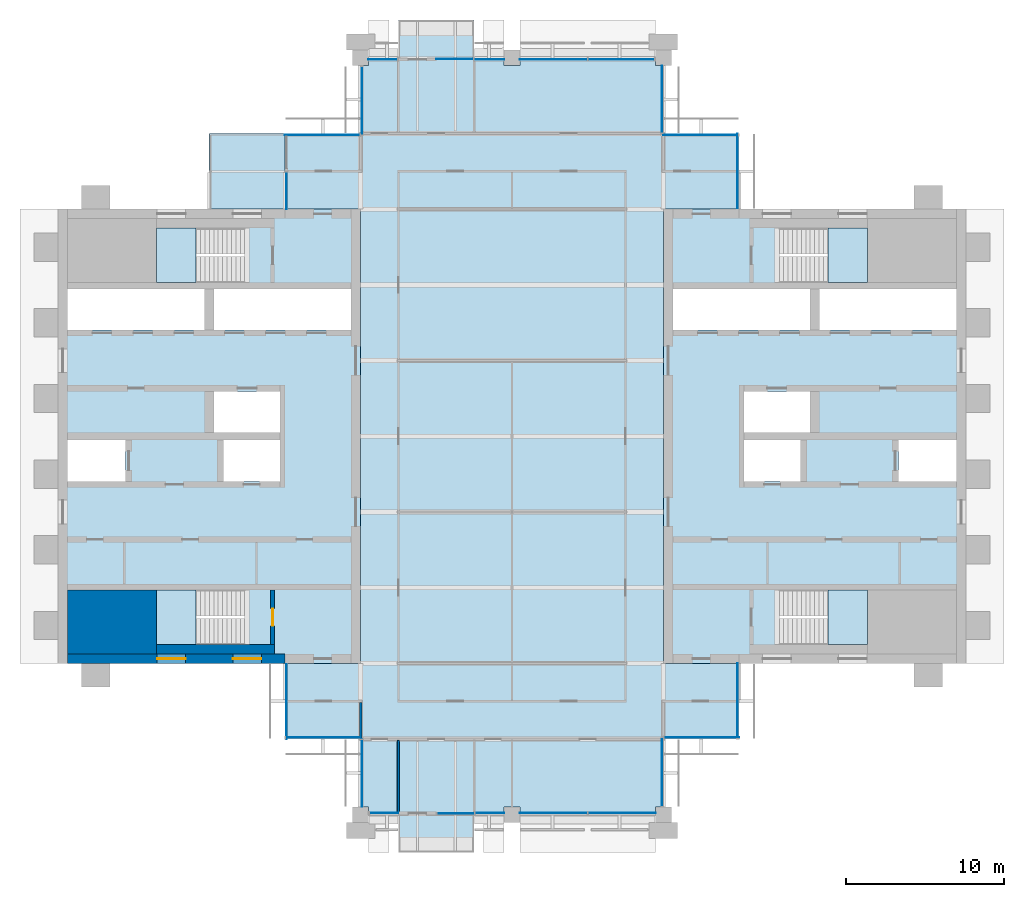
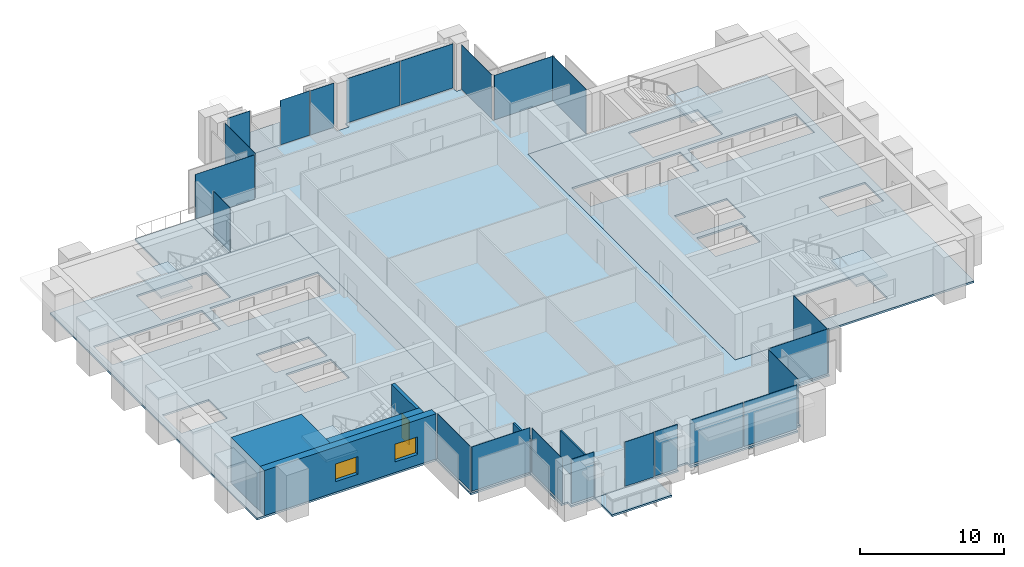
# One storey, part 7 of 14: 22 plates, 10 slabs, 6 walls, 2 windows, 1 door, 3 openings, 22 elements without a shape of their own.
"""IFC4 building model written with IfcOpenShell, lengths in metres."""

from ifc_helpers import new_model, si_unit, direction, frame, frame_2d, origin, origin_2d, place, context, subcontext, project, spatial, polyline, rectangle, outline, extrude, material, layer, layer_set, type_object, element, fill, aggregate, save


model = new_model("IFC4")

# Units and contexts
model_context = context("Model", 3, precision=1e-05, world=origin(), true_north=direction((0.0, 1.0)))
body_context = subcontext(model_context, "Body", "Model", "MODEL_VIEW")
ifc_project = project(units=[si_unit("LENGTHUNIT", "METRE"), si_unit("AREAUNIT", "SQUARE_METRE"), si_unit("VOLUMEUNIT", "CUBIC_METRE"), si_unit("PLANEANGLEUNIT", "RADIAN"), si_unit("MASSUNIT", "GRAM", prefix="KILO")], contexts=[model_context])

# Site, building, storey
site_placement = place(None, origin())
site = spatial("IfcSite", under=ifc_project, at=site_placement, CompositionType="ELEMENT")
building_placement = place(site_placement, origin())
building = spatial("IfcBuilding", under=site, at=building_placement, Name="Baori Bourse Tower", CompositionType="ELEMENT")
storey_placement = place(building_placement, frame((0.0, 0.0, 290.300048828125)))
storey = spatial("IfcBuildingStorey", under=building, at=storey_placement, Name="L63", CompositionType="ELEMENT", Elevation=290.300048828125)

# Slabs
ifc_material_1 = material(Name="Concrete f'c 40 MPa", Category="concrete")
ifc_layer_1 = layer(ifc_material_1, 0.159912109375)
ifc_layer_set_1 = layer_set([ifc_layer_1], Name="BL2 Balcony slab 160")
slab_type_1 = type_object("IfcSlabType", Name="BL2 Balcony slab 160", PredefinedType="FLOOR", material=ifc_layer_set_1)
slab_1_placement = place(storey_placement, frame((0.0, 0.0, -0.16015625)))
element("IfcSlab", 1, at=slab_1_placement, inside=storey, type_object=slab_type_1, Name="Balcony slab L63 S", PredefinedType="FLOOR", context=body_context, shape_type="SweptSolid", body=[
    extrude(outline(polyline([(21.60009765625, 0.0), (21.60009765625, -2.39990234375), (26.39990234375, -2.39990234375), (26.39990234375, 0.0), (21.60009765625, 0.0)])), origin(), (0.0, 0.0, 1.0), 0.16015625),
])
slab_2_placement = place(storey_placement, frame((0.0, 0.0, -0.16015625)))
element("IfcSlab", 2, at=slab_2_placement, inside=storey, type_object=slab_type_1, Name="Balcony slab L63 N", PredefinedType="FLOOR", context=body_context, shape_type="SweptSolid", body=[
    extrude(outline(polyline([(21.60009765625, 48.0), (26.39990234375, 48.0), (26.39990234375, 50.39990234375), (21.60009765625, 50.39990234375), (21.60009765625, 48.0)])), origin(), (0.0, 0.0, 1.0), 0.16015625),
])

# Curtain wall, plate
ifc_material_2 = material(Name="Pale anodised aluminium", Category="aluminium")
curtain_wall_type_1 = type_object("IfcCurtainWallType", Name="CW2 Curtain wall", PredefinedType="NOTDEFINED", material=ifc_material_2)
curtain_wall_1_placement = place(storey_placement, origin())
curtain_wall_1 = element("IfcCurtainWall", 3, at=curtain_wall_1_placement, inside=storey, type_object=curtain_wall_type_1, Name="Curtain wall CW2 L63 1", PredefinedType="NOTDEFINED")
ifc_material_3 = material(Name="Clear glass", Category="glass")
ifc_layer_2 = layer(ifc_material_3, 0.030029296875)
ifc_layer_set_2 = layer_set([ifc_layer_2], Name="CW2 Curtain wall panel")
plate_type_1 = type_object("IfcPlateType", Name="CW2 Curtain wall panel", PredefinedType="CURTAIN_PANEL", material=ifc_layer_set_2)
plate_1_placement = place(storey_placement, frame((43.110107421875, 40.827392578125, 0.06982421875), z_axis=(0.0, 0.0, 1.0), x_axis=(0.0, 1.0, 0.0)))
plate_1 = element("IfcPlate", 4, at=plate_1_placement, type_object=plate_type_1, Name="Curtain wall CW2 panel", PredefinedType="CURTAIN_PANEL", context=body_context, shape_type="SweptSolid", body=[
    extrude(rectangle(XDim=4.7451171875, YDim=0.030029296875, at=origin_2d()), origin(), (0.0, 0.0, 1.0), 3.77001953125),
])
aggregate(curtain_wall_1, [plate_1])

curtain_wall_2_placement = place(storey_placement, origin())
curtain_wall_2 = element("IfcCurtainWall", 5, at=curtain_wall_2_placement, inside=storey, type_object=curtain_wall_type_1, Name="Curtain wall CW2 L63 2", PredefinedType="NOTDEFINED")
plate_2_placement = place(storey_placement, frame((40.7724609375, 43.110107421875, 0.06982421875), z_axis=(0.0, 0.0, 1.0), x_axis=(-1.0, 0.0, 0.0)))
plate_2 = element("IfcPlate", 6, at=plate_2_placement, type_object=plate_type_1, Name="Curtain wall CW2 panel", PredefinedType="CURTAIN_PANEL", context=body_context, shape_type="SweptSolid", body=[
    extrude(rectangle(XDim=4.7451171875, YDim=0.030029296875, at=origin_2d()), origin(), (0.0, 0.0, 1.0), 3.77001953125),
])
aggregate(curtain_wall_2, [plate_2])

curtain_wall_3_placement = place(storey_placement, origin())
curtain_wall_3 = element("IfcCurtainWall", 7, at=curtain_wall_3_placement, inside=storey, type_object=curtain_wall_type_1, Name="Curtain wall CW2 L63 3", PredefinedType="NOTDEFINED")
plate_3_placement = place(storey_placement, frame((38.31005859375, 45.37744140625, 0.06982421875), z_axis=(0.0, 0.0, 1.0), x_axis=(0.0, 1.0, 0.0)))
plate_3 = element("IfcPlate", 8, at=plate_3_placement, type_object=plate_type_1, Name="Curtain wall CW2 panel", PredefinedType="CURTAIN_PANEL", context=body_context, shape_type="SweptSolid", body=[
    extrude(rectangle(XDim=4.2451171875, YDim=0.030029296875, at=origin_2d()), origin(), (0.0, 0.0, 1.0), 3.77001953125),
])
aggregate(curtain_wall_3, [plate_3])

curtain_wall_4_placement = place(storey_placement, origin())
curtain_wall_4 = element("IfcCurtainWall", 9, at=curtain_wall_4_placement, inside=storey, type_object=curtain_wall_type_1, Name="Curtain wall CW2 L63 7", PredefinedType="NOTDEFINED")
plate_4_placement = place(storey_placement, frame((19.2900390625, 45.322509765625, 0.06982421875), z_axis=(0.0, 0.0, 1.0), x_axis=(0.0, -1.0, 0.0)))
plate_4 = element("IfcPlate", 10, at=plate_4_placement, type_object=plate_type_1, Name="Curtain wall CW2 panel", PredefinedType="CURTAIN_PANEL", context=body_context, shape_type="SweptSolid", body=[
    extrude(rectangle(XDim=4.2451171875, YDim=0.030029296875, at=origin_2d()), origin(), (0.0, 0.0, 1.0), 3.77001953125),
])
aggregate(curtain_wall_4, [plate_4])

curtain_wall_5_placement = place(storey_placement, origin())
curtain_wall_5 = element("IfcCurtainWall", 11, at=curtain_wall_5_placement, inside=storey, type_object=curtain_wall_type_1, Name="Curtain wall CW2 L63 8", PredefinedType="NOTDEFINED")
plate_5_placement = place(storey_placement, frame((16.7724609375, 43.110107421875, 0.06982421875), z_axis=(0.0, 0.0, 1.0), x_axis=(-1.0, 0.0, 0.0)))
plate_5 = element("IfcPlate", 12, at=plate_5_placement, type_object=plate_type_1, Name="Curtain wall CW2 panel", PredefinedType="CURTAIN_PANEL", context=body_context, shape_type="SweptSolid", body=[
    extrude(rectangle(XDim=4.7451171875, YDim=0.030029296875, at=origin_2d()), origin(), (0.0, 0.0, 1.0), 3.77001953125),
])
aggregate(curtain_wall_5, [plate_5])

curtain_wall_6_placement = place(storey_placement, origin())
curtain_wall_6 = element("IfcCurtainWall", 13, at=curtain_wall_6_placement, inside=storey, type_object=curtain_wall_type_1, Name="Curtain wall CW2 L63 9", PredefinedType="NOTDEFINED")
plate_6_placement = place(storey_placement, frame((14.489990234375, 39.572509765625, 0.06982421875), z_axis=(0.0, 0.0, 1.0), x_axis=(0.0, -1.0, 0.0)))
plate_6 = element("IfcPlate", 14, at=plate_6_placement, type_object=plate_type_1, Name="Curtain wall CW2 panel", PredefinedType="CURTAIN_PANEL", context=body_context, shape_type="SweptSolid", body=[
    extrude(rectangle(XDim=2.344970703125, YDim=0.030029296875, at=origin_2d()), origin(), (0.0, 0.0, 1.0), 3.77001953125),
])
aggregate(curtain_wall_6, [plate_6])

curtain_wall_7_placement = place(storey_placement, origin())
curtain_wall_7 = element("IfcCurtainWall", 15, at=curtain_wall_7_placement, inside=storey, type_object=curtain_wall_type_1, Name="Curtain wall CW2 L63 10", PredefinedType="NOTDEFINED")
plate_7_placement = place(storey_placement, frame((14.489990234375, 7.172607421875, 0.06982421875), z_axis=(0.0, 0.0, 1.0), x_axis=(0.0, -1.0, 0.0)))
plate_7 = element("IfcPlate", 16, at=plate_7_placement, type_object=plate_type_1, Name="Curtain wall CW2 panel", PredefinedType="CURTAIN_PANEL", context=body_context, shape_type="SweptSolid", body=[
    extrude(rectangle(XDim=4.7451171875, YDim=0.030029296875, at=origin_2d()), origin(), (0.0, 0.0, 1.0), 3.77001953125),
])
aggregate(curtain_wall_7, [plate_7])

curtain_wall_8_placement = place(storey_placement, origin())
curtain_wall_8 = element("IfcCurtainWall", 17, at=curtain_wall_8_placement, inside=storey, type_object=curtain_wall_type_1, Name="Curtain wall CW2 L63 11", PredefinedType="NOTDEFINED")
plate_8_placement = place(storey_placement, frame((16.827392578125, 4.889892578125, 0.06982421875), z_axis=(0.0, 0.0, 1.0), x_axis=(1.0, 0.0, 0.0)))
plate_8 = element("IfcPlate", 18, at=plate_8_placement, type_object=plate_type_1, Name="Curtain wall CW2 panel", PredefinedType="CURTAIN_PANEL", context=body_context, shape_type="SweptSolid", body=[
    extrude(rectangle(XDim=4.7451171875, YDim=0.030029296875, at=origin_2d()), origin(), (0.0, 0.0, 1.0), 3.77001953125),
])
aggregate(curtain_wall_8, [plate_8])

curtain_wall_9_placement = place(storey_placement, origin())
curtain_wall_9 = element("IfcCurtainWall", 19, at=curtain_wall_9_placement, inside=storey, type_object=curtain_wall_type_1, Name="Curtain wall CW2 L63 12", PredefinedType="NOTDEFINED")
plate_9_placement = place(storey_placement, frame((19.2900390625, 2.62255859375, 0.06982421875), z_axis=(0.0, 0.0, 1.0), x_axis=(0.0, -1.0, 0.0)))
plate_9 = element("IfcPlate", 20, at=plate_9_placement, type_object=plate_type_1, Name="Curtain wall CW2 panel", PredefinedType="CURTAIN_PANEL", context=body_context, shape_type="SweptSolid", body=[
    extrude(rectangle(XDim=4.2451171875, YDim=0.030029296875, at=origin_2d()), origin(), (0.0, 0.0, 1.0), 3.77001953125),
])
aggregate(curtain_wall_9, [plate_9])

curtain_wall_10_placement = place(storey_placement, origin())
curtain_wall_10 = element("IfcCurtainWall", 21, at=curtain_wall_10_placement, inside=storey, type_object=curtain_wall_type_1, Name="Curtain wall CW2 L63 16", PredefinedType="NOTDEFINED")
plate_10_placement = place(storey_placement, frame((38.31005859375, 2.677490234375, 0.06982421875), z_axis=(0.0, 0.0, 1.0), x_axis=(0.0, 1.0, 0.0)))
plate_10 = element("IfcPlate", 22, at=plate_10_placement, type_object=plate_type_1, Name="Curtain wall CW2 panel", PredefinedType="CURTAIN_PANEL", context=body_context, shape_type="SweptSolid", body=[
    extrude(rectangle(XDim=4.2451171875, YDim=0.030029296875, at=origin_2d()), origin(), (0.0, 0.0, 1.0), 3.77001953125),
])
aggregate(curtain_wall_10, [plate_10])

curtain_wall_11_placement = place(storey_placement, origin())
curtain_wall_11 = element("IfcCurtainWall", 23, at=curtain_wall_11_placement, inside=storey, type_object=curtain_wall_type_1, Name="Curtain wall CW2 L63 17", PredefinedType="NOTDEFINED")
plate_11_placement = place(storey_placement, frame((40.827392578125, 4.889892578125, 0.06982421875), z_axis=(0.0, 0.0, 1.0), x_axis=(1.0, 0.0, 0.0)))
plate_11 = element("IfcPlate", 24, at=plate_11_placement, type_object=plate_type_1, Name="Curtain wall CW2 panel", PredefinedType="CURTAIN_PANEL", context=body_context, shape_type="SweptSolid", body=[
    extrude(rectangle(XDim=4.7451171875, YDim=0.030029296875, at=origin_2d()), origin(), (0.0, 0.0, 1.0), 3.77001953125),
])
aggregate(curtain_wall_11, [plate_11])

curtain_wall_12_placement = place(storey_placement, origin())
curtain_wall_12 = element("IfcCurtainWall", 25, at=curtain_wall_12_placement, inside=storey, type_object=curtain_wall_type_1, Name="Curtain wall CW2 L63 18", PredefinedType="NOTDEFINED")
plate_12_placement = place(storey_placement, frame((43.110107421875, 7.2275390625, 0.06982421875), z_axis=(0.0, 0.0, 1.0), x_axis=(0.0, 1.0, 0.0)))
plate_12 = element("IfcPlate", 26, at=plate_12_placement, type_object=plate_type_1, Name="Curtain wall CW2 panel", PredefinedType="CURTAIN_PANEL", context=body_context, shape_type="SweptSolid", body=[
    extrude(rectangle(XDim=4.7451171875, YDim=0.030029296875, at=origin_2d()), origin(), (0.0, 0.0, 1.0), 3.77001953125),
])
aggregate(curtain_wall_12, [plate_12])

# Curtain wall, plates
ifc_material_4 = material(Name="Pale anodised aluminium", Category="aluminium")
curtain_wall_type_2 = type_object("IfcCurtainWallType", Name="CW5 Curtain wall", PredefinedType="NOTDEFINED", material=ifc_material_4)
curtain_wall_13_placement = place(storey_placement, origin())
curtain_wall_13 = element("IfcCurtainWall", 27, at=curtain_wall_13_placement, inside=storey, type_object=curtain_wall_type_2, Name="Curtain wall CW5 L63 4", PredefinedType="NOTDEFINED")
ifc_material_5 = material(Name="Clear glass", Category="glass")
ifc_layer_3 = layer(ifc_material_5, 0.035888671875)
ifc_layer_set_3 = layer_set([ifc_layer_3], Name="CW5 Curtain wall panel")
plate_type_2 = type_object("IfcPlateType", Name="CW5 Curtain wall panel", PredefinedType="CURTAIN_PANEL", material=ifc_layer_set_3)
plate_13_placement = place(storey_placement, frame((35.733642578125, 47.889892578125, 0.0849609375), z_axis=(0.0, 0.0, 1.0), x_axis=(-1.0, 0.0, 0.0)))
plate_13 = element("IfcPlate", 28, at=plate_13_placement, type_object=plate_type_2, Name="Curtain wall CW5 panel", PredefinedType="CURTAIN_PANEL", context=body_context, shape_type="SweptSolid", body=[
    extrude(rectangle(XDim=4.202392578125, YDim=0.035888671875, at=origin_2d()), origin(), (0.0, 0.0, 1.0), 3.7548828125),
])
plate_14_placement = place(storey_placement, frame((31.433837890625, 47.889892578125, 0.0849609375), z_axis=(0.0, 0.0, 1.0), x_axis=(-1.0, 0.0, 0.0)))
plate_14 = element("IfcPlate", 29, at=plate_14_placement, type_object=plate_type_2, Name="Curtain wall CW5 panel", PredefinedType="CURTAIN_PANEL", context=body_context, shape_type="SweptSolid", body=[
    extrude(rectangle(XDim=4.267578125, YDim=0.035888671875, at=origin_2d()), origin(), (0.0, 0.0, 1.0), 3.7548828125),
])
plate_15_placement = place(storey_placement, frame((27.35009765625, 47.889892578125, 0.0849609375), z_axis=(0.0, 0.0, 1.0), x_axis=(-1.0, 0.0, 0.0)))
plate_15 = element("IfcPlate", 30, at=plate_15_placement, type_object=plate_type_2, Name="Curtain wall CW5 panel", PredefinedType="CURTAIN_PANEL", context=body_context, shape_type="SweptSolid", body=[
    extrude(rectangle(XDim=1.89990234375, YDim=0.035888671875, at=origin_2d()), origin(), (0.0, 0.0, 1.0), 3.7548828125),
])
aggregate(curtain_wall_13, [plate_13, plate_14, plate_15])

# Curtain wall, plate
curtain_wall_14_placement = place(storey_placement, origin())
curtain_wall_14 = element("IfcCurtainWall", 31, at=curtain_wall_14_placement, inside=storey, type_object=curtain_wall_type_2, Name="Curtain wall CW5 L63 6", PredefinedType="NOTDEFINED")
plate_16_placement = place(storey_placement, frame((20.617431640625, 47.889892578125, 0.0849609375), z_axis=(0.0, 0.0, 1.0), x_axis=(-1.0, 0.0, 0.0)))
plate_16 = element("IfcPlate", 32, at=plate_16_placement, type_object=plate_type_2, Name="Curtain wall CW5 panel", PredefinedType="CURTAIN_PANEL", context=body_context, shape_type="SweptSolid", body=[
    extrude(rectangle(XDim=1.8349609375, YDim=0.035888671875, at=origin_2d()), origin(), (0.0, 0.0, 1.0), 3.7548828125),
])
aggregate(curtain_wall_14, [plate_16])

curtain_wall_15_placement = place(storey_placement, origin())
curtain_wall_15 = element("IfcCurtainWall", 33, at=curtain_wall_15_placement, inside=storey, type_object=curtain_wall_type_2, Name="Curtain wall CW5 L63 13", PredefinedType="NOTDEFINED")
plate_17_placement = place(storey_placement, frame((20.6826171875, 0.110107421875, 0.0849609375), z_axis=(0.0, 0.0, 1.0), x_axis=(1.0, 0.0, 0.0)))
plate_17 = element("IfcPlate", 34, at=plate_17_placement, type_object=plate_type_2, Name="Curtain wall CW5 panel", PredefinedType="CURTAIN_PANEL", context=body_context, shape_type="SweptSolid", body=[
    extrude(rectangle(XDim=1.8349609375, YDim=0.035888671875, at=origin_2d()), origin(), (0.0, 0.0, 1.0), 3.7548828125),
])
aggregate(curtain_wall_15, [plate_17])

# Curtain wall, plates
curtain_wall_16_placement = place(storey_placement, origin())
curtain_wall_16 = element("IfcCurtainWall", 35, at=curtain_wall_16_placement, inside=storey, type_object=curtain_wall_type_2, Name="Curtain wall CW5 L63 15", PredefinedType="NOTDEFINED")
plate_18_placement = place(storey_placement, frame((27.382568359375, 0.110107421875, 0.0849609375), z_axis=(0.0, 0.0, 1.0), x_axis=(1.0, 0.0, 0.0)))
plate_18 = element("IfcPlate", 36, at=plate_18_placement, type_object=plate_type_2, Name="Curtain wall CW5 panel", PredefinedType="CURTAIN_PANEL", context=body_context, shape_type="SweptSolid", body=[
    extrude(rectangle(XDim=1.8349609375, YDim=0.035888671875, at=origin_2d()), origin(), (0.0, 0.0, 1.0), 3.7548828125),
])
plate_19_placement = place(storey_placement, frame((31.433837890625, 0.110107421875, 0.0849609375), z_axis=(0.0, 0.0, 1.0), x_axis=(1.0, 0.0, 0.0)))
plate_19 = element("IfcPlate", 37, at=plate_19_placement, type_object=plate_type_2, Name="Curtain wall CW5 panel", PredefinedType="CURTAIN_PANEL", context=body_context, shape_type="SweptSolid", body=[
    extrude(rectangle(XDim=4.267578125, YDim=0.035888671875, at=origin_2d()), origin(), (0.0, 0.0, 1.0), 3.7548828125),
])
plate_20_placement = place(storey_placement, frame((35.766357421875, 0.110107421875, 0.0849609375), z_axis=(0.0, 0.0, 1.0), x_axis=(1.0, 0.0, 0.0)))
plate_20 = element("IfcPlate", 38, at=plate_20_placement, type_object=plate_type_2, Name="Curtain wall CW5 panel", PredefinedType="CURTAIN_PANEL", context=body_context, shape_type="SweptSolid", body=[
    extrude(rectangle(XDim=4.267578125, YDim=0.035888671875, at=origin_2d()), origin(), (0.0, 0.0, 1.0), 3.7548828125),
])
aggregate(curtain_wall_16, [plate_18, plate_19, plate_20])

# Curtain wall, plate
ifc_material_6 = material(Name="Pale anodised aluminium", Category="aluminium")
curtain_wall_type_3 = type_object("IfcCurtainWallType", Name="CW6 Curtain wall", PredefinedType="NOTDEFINED", material=ifc_material_6)
curtain_wall_17_placement = place(storey_placement, origin())
curtain_wall_17 = element("IfcCurtainWall", 39, at=curtain_wall_17_placement, inside=storey, type_object=curtain_wall_type_3, Name="Curtain wall CW6 L63 5", PredefinedType="NOTDEFINED")
ifc_material_7 = material(Name="Clear glass", Category="glass")
ifc_layer_4 = layer(ifc_material_7, 0.028076171875)
ifc_layer_set_4 = layer_set([ifc_layer_4], Name="CW6 Curtain wall panel")
plate_type_3 = type_object("IfcPlateType", Name="CW6 Curtain wall panel", PredefinedType="CURTAIN_PANEL", material=ifc_layer_set_4)
plate_21_placement = place(storey_placement, frame((25.175048828125, 47.925048828125, 0.06494140625), z_axis=(0.0, 0.0, 1.0), x_axis=(-1.0, 0.0, 0.0)))
plate_21 = element("IfcPlate", 40, at=plate_21_placement, type_object=plate_type_3, Name="Curtain wall CW6 panel", PredefinedType="CURTAIN_PANEL", context=body_context, shape_type="SweptSolid", body=[
    extrude(rectangle(XDim=2.35009765625, YDim=0.028076171875, at=origin_2d()), origin(), (0.0, 0.0, 1.0), 3.77490234375),
])
aggregate(curtain_wall_17, [plate_21])

curtain_wall_18_placement = place(storey_placement, origin())
curtain_wall_18 = element("IfcCurtainWall", 41, at=curtain_wall_18_placement, inside=storey, type_object=curtain_wall_type_3, Name="Curtain wall CW6 L63 14", PredefinedType="NOTDEFINED")
plate_22_placement = place(storey_placement, frame((25.22509765625, 0.074951171875, 0.06494140625), z_axis=(0.0, 0.0, 1.0), x_axis=(1.0, 0.0, 0.0)))
plate_22 = element("IfcPlate", 42, at=plate_22_placement, type_object=plate_type_3, Name="Curtain wall CW6 panel", PredefinedType="CURTAIN_PANEL", context=body_context, shape_type="SweptSolid", body=[
    extrude(rectangle(XDim=2.35009765625, YDim=0.028076171875, at=origin_2d()), origin(), (0.0, 0.0, 1.0), 3.77490234375),
])
aggregate(curtain_wall_18, [plate_22])

# Slabs
ifc_material_8 = material(Name="Concrete f'c 50 MPa", Category="concrete")
ifc_layer_5 = layer(ifc_material_8, 0.159912109375)
ifc_layer_set_5 = layer_set([ifc_layer_5], Name="Core slab 160")
slab_type_2 = type_object("IfcSlabType", Name="Core slab 160", PredefinedType="FLOOR", material=ifc_layer_set_5)
slab_3_placement = place(storey_placement, frame((0.0, 0.0, -0.16015625)))
element("IfcSlab", 43, at=slab_3_placement, inside=storey, type_object=slab_type_2, Name="Core floor slab W01", PredefinedType="FLOOR", context=body_context, shape_type="SweptSolid", body=[
    extrude(outline(polyline([(19.199951171875, 38.39990234375), (0.0, 38.39990234375), (0.0, 9.60009765625), (19.199951171875, 9.60009765625), (19.199951171875, 38.39990234375)]), holes=[polyline([(9.89990234375, 33.35009765625), (18.60009765625, 33.35009765625), (18.60009765625, 30.75), (9.89990234375, 30.75), (9.89990234375, 33.35009765625)]), polyline([(10.5, 21.14990234375), (10.5, 23.75), (14.10009765625, 23.75), (14.10009765625, 21.14990234375), (10.5, 21.14990234375)]), polyline([(14.10009765625, 24.25), (9.89990234375, 24.25), (9.89990234375, 26.85009765625), (14.10009765625, 26.85009765625), (14.10009765625, 24.25)]), polyline([(6.25, 14.25), (11.84912109375, 14.25), (11.84912109375, 10.800048828125), (6.25, 10.800048828125), (6.25, 14.25)]), polyline([(11.84912109375, 37.199951171875), (11.84912109375, 33.75), (6.25, 33.75), (6.25, 37.199951171875), (11.84912109375, 37.199951171875)]), polyline([(0.60009765625, 30.75), (0.60009765625, 33.35009765625), (9.300048828125, 33.35009765625), (9.300048828125, 30.75), (0.60009765625, 30.75)]), polyline([(4.300048828125, 23.75), (4.300048828125, 21.14990234375), (0.60009765625, 21.14990234375), (0.60009765625, 23.75), (4.300048828125, 23.75)])]), origin(), (0.0, 0.0, 1.0), 0.16015625),
])
slab_4_placement = place(storey_placement, frame((0.0, 0.0, -0.16015625)))
element("IfcSlab", 44, at=slab_4_placement, inside=storey, type_object=slab_type_2, Name="Core floor slab E01", PredefinedType="FLOOR", context=body_context, shape_type="SweptSolid", body=[
    extrude(outline(polyline([(57.60009765625, 9.60009765625), (57.60009765625, 38.39990234375), (38.39990234375, 38.39990234375), (38.39990234375, 9.60009765625), (57.60009765625, 9.60009765625)]), holes=[polyline([(48.300048828125, 33.35009765625), (57.0, 33.35009765625), (57.0, 30.75), (48.300048828125, 30.75), (48.300048828125, 33.35009765625)]), polyline([(57.0, 21.14990234375), (53.300048828125, 21.14990234375), (53.300048828125, 23.75), (57.0, 23.75), (57.0, 21.14990234375)]), polyline([(45.750732421875, 14.25), (51.35009765625, 14.25), (51.35009765625, 10.800048828125), (45.750732421875, 10.800048828125), (45.750732421875, 14.25)]), polyline([(51.35009765625, 37.199951171875), (51.35009765625, 33.75), (45.750732421875, 33.75), (45.750732421875, 37.199951171875), (51.35009765625, 37.199951171875)]), polyline([(43.5, 24.25), (43.5, 26.85009765625), (47.699951171875, 26.85009765625), (47.699951171875, 24.25), (43.5, 24.25)]), polyline([(47.699951171875, 33.35009765625), (47.699951171875, 30.75), (39.0, 30.75), (39.0, 33.35009765625), (47.699951171875, 33.35009765625)]), polyline([(43.5, 23.75), (47.10009765625, 23.75), (47.10009765625, 21.14990234375), (43.5, 21.14990234375), (43.5, 23.75)])]), origin(), (0.0, 0.0, 1.0), 0.16015625),
])

# Stair, slab
ifc_material_9 = material(Name="Concrete f'c 50 MPa", Category="concrete")
stair_type = type_object("IfcStairType", Name="Core stair", PredefinedType="HALF_TURN_STAIR", material=ifc_material_9)
stair_1_placement = place(storey_placement, origin())
stair_1 = element("IfcStair", 45, at=stair_1_placement, inside=storey, type_object=stair_type, Name="L63 Stair WA", PredefinedType="HALF_TURN_STAIR")
ifc_material_10 = material(Name="Concrete f'c 50 MPa", Category="concrete")
slab_type_3 = type_object("IfcSlabType", Name="Core stair landing", PredefinedType="LANDING", material=ifc_material_10)
slab_5_placement = place(storey_placement, frame((0.0, 0.0, 1.800048828125)))
slab_5 = element("IfcSlab", 46, at=slab_5_placement, type_object=slab_type_3, Name="ST1 landing 1", PredefinedType="LANDING", context=body_context, shape_type="SweptSolid", body=[
    extrude(outline(polyline([(8.77001953125, 14.25), (6.25, 14.25), (6.25, 10.800048828125), (8.77001953125, 10.800048828125), (8.77001953125, 14.25)])), origin(), (0.0, 0.0, 1.0), 0.199951171875),
])
aggregate(stair_1, [slab_5])

stair_2_placement = place(storey_placement, origin())
stair_2 = element("IfcStair", 47, at=stair_2_placement, inside=storey, type_object=stair_type, Name="L63 Stair WB", PredefinedType="HALF_TURN_STAIR")
slab_6_placement = place(storey_placement, frame((0.0, 0.0, 1.800048828125)))
slab_6 = element("IfcSlab", 48, at=slab_6_placement, type_object=slab_type_3, Name="ST2 landing 1", PredefinedType="LANDING", context=body_context, shape_type="SweptSolid", body=[
    extrude(outline(polyline([(8.77001953125, 37.199951171875), (6.25, 37.199951171875), (6.25, 33.75), (8.77001953125, 33.75), (8.77001953125, 37.199951171875)])), origin(), (0.0, 0.0, 1.0), 0.199951171875),
])
aggregate(stair_2, [slab_6])

stair_3_placement = place(storey_placement, origin())
stair_3 = element("IfcStair", 49, at=stair_3_placement, inside=storey, type_object=stair_type, Name="L63 Stair EA", PredefinedType="HALF_TURN_STAIR")
slab_7_placement = place(storey_placement, frame((0.0, 0.0, 1.800048828125)))
slab_7 = element("IfcSlab", 50, at=slab_7_placement, type_object=slab_type_3, Name="ST3 landing 1", PredefinedType="LANDING", context=body_context, shape_type="SweptSolid", body=[
    extrude(outline(polyline([(48.830078125, 10.800048828125), (51.35009765625, 10.800048828125), (51.35009765625, 14.25), (48.830078125, 14.25), (48.830078125, 10.800048828125)])), origin(), (0.0, 0.0, 1.0), 0.199951171875),
])
aggregate(stair_3, [slab_7])

stair_4_placement = place(storey_placement, origin())
stair_4 = element("IfcStair", 51, at=stair_4_placement, inside=storey, type_object=stair_type, Name="L63 Stair EB", PredefinedType="HALF_TURN_STAIR")
slab_8_placement = place(storey_placement, frame((0.0, 0.0, 1.800048828125)))
slab_8 = element("IfcSlab", 52, at=slab_8_placement, type_object=slab_type_3, Name="ST4 landing 1", PredefinedType="LANDING", context=body_context, shape_type="SweptSolid", body=[
    extrude(outline(polyline([(48.830078125, 33.75), (51.35009765625, 33.75), (51.35009765625, 37.199951171875), (48.830078125, 37.199951171875), (48.830078125, 33.75)])), origin(), (0.0, 0.0, 1.0), 0.199951171875),
])
aggregate(stair_4, [slab_8])

# Slabs
ifc_material_11 = material(Name="Concrete f'c 40 MPa", Category="concrete")
ifc_layer_6 = layer(ifc_material_11, 0.159912109375)
ifc_layer_set_6 = layer_set([ifc_layer_6], Name="Floor slab 160")
slab_type_4 = type_object("IfcSlabType", Name="Floor slab 160", PredefinedType="FLOOR", material=ifc_layer_set_6)
slab_9_placement = place(storey_placement, frame((0.0, 0.0, -0.16015625)))
element("IfcSlab", 53, at=slab_9_placement, inside=storey, type_object=slab_type_4, Name="Floor slab L63", PredefinedType="FLOOR", context=body_context, shape_type="SweptSolid", body=[
    extrude(outline(polyline([(19.199951171875, 4.800048828125), (14.39990234375, 4.800048828125), (14.39990234375, 9.60009765625), (19.199951171875, 9.60009765625), (19.199951171875, 38.39990234375), (14.39990234375, 38.39990234375), (14.39990234375, 43.199951171875), (19.199951171875, 43.199951171875), (19.199951171875, 47.5), (19.699951171875, 47.5), (19.699951171875, 48.0), (28.300048828125, 48.0), (28.300048828125, 47.5), (29.300048828125, 47.5), (29.300048828125, 48.0), (37.89990234375, 48.0), (37.89990234375, 47.5), (38.39990234375, 47.5), (38.39990234375, 43.199951171875), (43.199951171875, 43.199951171875), (43.199951171875, 38.39990234375), (38.39990234375, 38.39990234375), (38.39990234375, 9.60009765625), (43.199951171875, 9.60009765625), (43.199951171875, 4.800048828125), (38.39990234375, 4.800048828125), (38.39990234375, 0.5), (37.89990234375, 0.5), (37.89990234375, 0.0), (29.300048828125, 0.0), (29.300048828125, 0.5), (28.300048828125, 0.5), (28.300048828125, 0.0), (19.699951171875, 0.0), (19.699951171875, 0.5), (19.199951171875, 0.5), (19.199951171875, 4.800048828125)])), origin(), (0.0, 0.0, 1.0), 0.16015625),
])
ifc_material_12 = material(Name="Concrete f'c 40 MPa", Category="concrete")
ifc_layer_7 = layer(ifc_material_12, 0.159912109375)
ifc_layer_set_7 = layer_set([ifc_layer_7], Name="Terrace slab 160")
slab_type_5 = type_object("IfcSlabType", Name="Terrace slab 160", PredefinedType="ROOF", material=ifc_layer_set_7)
slab_10_placement = place(storey_placement, frame((0.0, 0.0, -0.16015625)))
element("IfcSlab", 54, at=slab_10_placement, inside=storey, type_object=slab_type_5, Name="Terrace slab NW L63", PredefinedType="ROOF", context=body_context, shape_type="SweptSolid", body=[
    extrude(outline(polyline([(9.60302734375, 38.403076171875), (9.60302734375, 43.197021484375), (14.39697265625, 43.197021484375), (14.39697265625, 38.403076171875), (9.60302734375, 38.403076171875)])), origin(), (0.0, 0.0, 1.0), 0.16015625),
])

# Wall
ifc_material_13 = material(Name="Concrete f'c 40 MPa", Category="concrete")
wall_type_1 = type_object("IfcWallType", Name="Core corner block f'c 40", PredefinedType="SHEAR", material=ifc_material_13)
wall_1_placement = place(storey_placement, frame((0.60009765625, 12.22509765625, 0.0), z_axis=(0.0, 0.0, 1.0), x_axis=(1.0, 0.0, 0.0)))
element("IfcWall", 55, at=wall_1_placement, inside=storey, type_object=wall_type_1, Name="Core wall W05", PredefinedType="SHEAR", context=body_context, shape_type="SweptSolid", body=[
    extrude(rectangle(XDim=5.64990234375, YDim=4.050048828125, at=frame_2d((2.824951171875, 0.0))), origin(), (0.0, 0.0, 1.0), 3.83984375),
])

# Wall, openings, windows
ifc_material_14 = material(Name="Concrete f'c 40 MPa", Category="concrete")
ifc_layer_8 = layer(ifc_material_14, 0.60009765625)
ifc_layer_set_8 = layer_set([ifc_layer_8], Name="Core wall 600 f'c 40")
wall_type_2 = type_object("IfcWallType", Name="Core wall 600 f'c 40", PredefinedType="SHEAR", material=ifc_layer_set_8)
wall_2_placement = place(storey_placement, frame((14.39990234375, 9.89990234375, 0.0), z_axis=(0.0, 0.0, 1.0), x_axis=(-1.0, 0.0, 0.0)))
wall_2 = element("IfcWall", 56, at=wall_2_placement, inside=storey, type_object=wall_type_2, Name="Core wall W02", PredefinedType="SHEAR", context=body_context, shape_type="SweptSolid", body=[
    extrude(rectangle(XDim=13.7998046875, YDim=0.60009765625, at=frame_2d((6.89990234375, 0.0))), origin(), (0.0, 0.0, 1.0), 3.83984375),
])
opening_1_placement = place(wall_2_placement, frame((6.300048828125, 0.0, 0.89990234375)))
opening_1 = element("IfcOpeningElement", 57, at=opening_1_placement, cuts=wall_2, Name="Opening L63-KW103", PredefinedType="OPENING", context=body_context, shape_type="SweptSolid", body=[
    extrude(rectangle(XDim=1.800048828125, YDim=1.5, at=frame_2d((0.89990234375, 0.75))), frame((0.0, 0.31005859375, 0.0), z_axis=(0.0, -1.0, 0.0), x_axis=(1.0, 0.0, 0.0)), (0.0, 0.0, 1.0), 0.6201171875),
])
opening_2_placement = place(wall_2_placement, frame((1.5, 0.0, 0.89990234375)))
opening_2 = element("IfcOpeningElement", 58, at=opening_2_placement, cuts=wall_2, Name="Opening L63-KW104", PredefinedType="OPENING", context=body_context, shape_type="SweptSolid", body=[
    extrude(rectangle(XDim=1.800048828125, YDim=1.5, at=frame_2d((0.89990234375, 0.75))), frame((0.0, 0.31005859375, 0.0), z_axis=(0.0, -1.0, 0.0), x_axis=(1.0, 0.0, 0.0)), (0.0, 0.0, 1.0), 0.6201171875),
])
ifc_material_15 = material(Name="Pale anodised aluminium", Category="aluminium")
window_type = type_object("IfcWindowType", Name="Stair window 1800 x 1500", PartitioningType="SINGLE_PANEL", PredefinedType="WINDOW", material=ifc_material_15)
window_1_placement = place(opening_1_placement, origin())
window_1 = element("IfcWindow", 59, at=window_1_placement, inside=storey, type_object=window_type, Name="Stair window W L63 3", OverallHeight=1.5, OverallWidth=1.800048828125, PartitioningType="SINGLE_PANEL", PredefinedType="WINDOW", context=body_context, shape_type="SweptSolid", body=[
    extrude(rectangle(XDim=1.800048828125, YDim=1.5, at=frame_2d((0.89990234375, 0.75))), frame((0.0, 0.030029296875, 0.0), z_axis=(0.0, -1.0, 0.0), x_axis=(1.0, 0.0, 0.0)), (0.0, 0.0, 1.0), 0.06005859375),
])
fill(opening_1, window_1)
window_2_placement = place(opening_2_placement, origin())
window_2 = element("IfcWindow", 60, at=window_2_placement, inside=storey, type_object=window_type, Name="Stair window W L63 4", OverallHeight=1.5, OverallWidth=1.800048828125, PartitioningType="SINGLE_PANEL", PredefinedType="WINDOW", context=body_context, shape_type="SweptSolid", body=[
    extrude(rectangle(XDim=1.800048828125, YDim=1.5, at=frame_2d((0.89990234375, 0.75))), frame((0.0, 0.030029296875, 0.0), z_axis=(0.0, -1.0, 0.0), x_axis=(1.0, 0.0, 0.0)), (0.0, 0.0, 1.0), 0.06005859375),
])
fill(opening_2, window_2)

# Walls
ifc_material_16 = material(Name="Gypsum board partition")
ifc_layer_9 = layer(ifc_material_16, 0.14990234375)
ifc_layer_set_9 = layer_set([ifc_layer_9], Name="Corridor partition 150")
wall_type_3 = type_object("IfcWallType", Name="Corridor partition 150", PredefinedType="PARTITIONING", material=ifc_layer_set_9)
wall_3_placement = place(storey_placement, frame((19.199951171875, 4.875, 0.0), z_axis=(0.0, 0.0, 1.0), x_axis=(0.0, 1.0, 0.0)))
element("IfcWall", 61, at=wall_3_placement, inside=storey, type_object=wall_type_3, Name="Partition", PredefinedType="PARTITIONING", context=body_context, shape_type="SweptSolid", body=[
    extrude(rectangle(XDim=2.25, YDim=0.14990234375, at=frame_2d((1.125, 0.0))), origin(), (0.0, 0.0, 1.0), 2.86962890625),
])
ifc_material_17 = material(Name="Gypsum board partition")
ifc_layer_10 = layer(ifc_material_17, 0.125)
ifc_layer_set_10 = layer_set([ifc_layer_10], Name="Partition 125")
wall_type_4 = type_object("IfcWallType", Name="Partition 125", PredefinedType="PARTITIONING", material=ifc_layer_set_10)
wall_4_placement = place(storey_placement, frame((21.60009765625, 0.10009765625, 0.0), z_axis=(0.0, 0.0, 1.0), x_axis=(0.0, 1.0, 0.0)))
element("IfcWall", 62, at=wall_4_placement, inside=storey, type_object=wall_type_4, Name="Partition", PredefinedType="PARTITIONING", context=body_context, shape_type="SweptSolid", body=[
    extrude(rectangle(XDim=4.625, YDim=0.125, at=frame_2d((2.3125, 0.0))), origin(), (0.0, 0.0, 1.0), 2.86962890625),
])

# Wall, opening, door
ifc_material_18 = material(Name="Concrete f'c 40 MPa", Category="concrete")
ifc_layer_11 = layer(ifc_material_18, 0.25)
ifc_layer_set_11 = layer_set([ifc_layer_11], Name="Shaft wall 250 f'c 40")
wall_type_5 = type_object("IfcWallType", Name="Shaft wall 250 f'c 40", PredefinedType="SHEAR", material=ifc_layer_set_11)
wall_5_placement = place(storey_placement, frame((13.625, 10.800048828125, 0.0), z_axis=(0.0, 0.0, 1.0), x_axis=(0.0, 1.0, 0.0)))
wall_5 = element("IfcWall", 63, at=wall_5_placement, inside=storey, type_object=wall_type_5, Name="Core wall W07", PredefinedType="SHEAR", context=body_context, shape_type="SweptSolid", body=[
    extrude(rectangle(XDim=3.449951171875, YDim=0.25, at=frame_2d((1.72509765625, 0.0))), origin(), (0.0, 0.0, 1.0), 3.83984375),
])
opening_3_placement = place(wall_5_placement, frame((1.175048828125, 0.0, 0.0)))
opening_3 = element("IfcOpeningElement", 64, at=opening_3_placement, cuts=wall_5, Name="Opening L63-D101", PredefinedType="OPENING", context=body_context, shape_type="SweptSolid", body=[
    extrude(rectangle(XDim=1.10009765625, YDim=2.10009765625, at=frame_2d((0.550048828125, 1.050048828125))), frame((0.0, 0.135009765625, 0.0), z_axis=(0.0, -1.0, 0.0), x_axis=(1.0, 0.0, 0.0)), (0.0, 0.0, 1.0), 0.27001953125),
])
ifc_material_19 = material(Name="Painted steel door", Category="steel")
door_type = type_object("IfcDoorType", Name="Stair door 1100", OperationType="SINGLE_SWING_LEFT", PredefinedType="DOOR", material=ifc_material_19)
door_placement = place(opening_3_placement, origin())
door = element("IfcDoor", 65, at=door_placement, inside=storey, type_object=door_type, Name="Stair door A W L63", OperationType="SINGLE_SWING_LEFT", OverallHeight=2.10009765625, OverallWidth=1.10009765625, PredefinedType="DOOR", context=body_context, shape_type="SweptSolid", body=[
    extrude(rectangle(XDim=1.10009765625, YDim=2.10009765625, at=frame_2d((0.550048828125, 1.050048828125))), frame((0.0, 0.02490234375, 0.0), z_axis=(0.0, -1.0, 0.0), x_axis=(1.0, 0.0, 0.0)), (0.0, 0.0, 1.0), 0.050048828125),
])
fill(opening_3, door)

# Wall
ifc_material_20 = material(Name="Concrete f'c 40 MPa", Category="concrete")
ifc_layer_12 = layer(ifc_material_20, 0.60009765625)
ifc_layer_set_12 = layer_set([ifc_layer_12], Name="Shaft wall 600 f'c 40")
wall_type_6 = type_object("IfcWallType", Name="Shaft wall 600 f'c 40", PredefinedType="SHEAR", material=ifc_layer_set_12)
wall_6_placement = place(storey_placement, frame((6.25, 10.5, 0.0), z_axis=(0.0, 0.0, 1.0), x_axis=(1.0, 0.0, 0.0)))
element("IfcWall", 66, at=wall_6_placement, inside=storey, type_object=wall_type_6, Name="Core wall W06", PredefinedType="SHEAR", context=body_context, shape_type="SweptSolid", body=[
    extrude(rectangle(XDim=7.5, YDim=0.60009765625, at=frame_2d((3.75, 0.0))), origin(), (0.0, 0.0, 1.0), 3.83984375),
])

save(model, "model.ifc")
